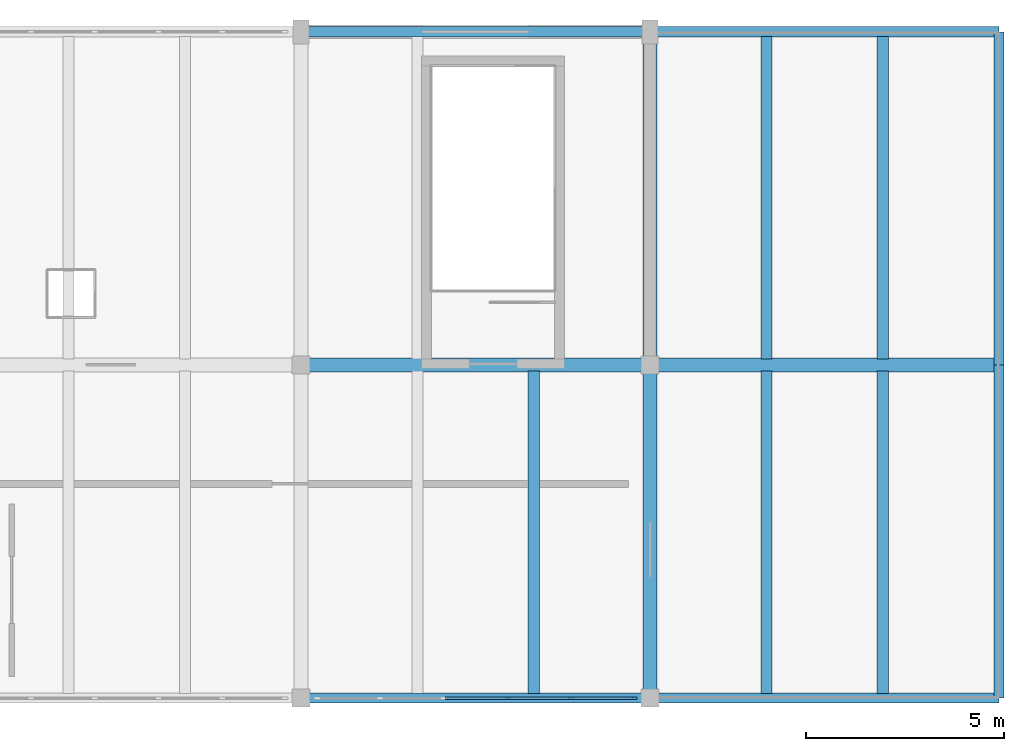
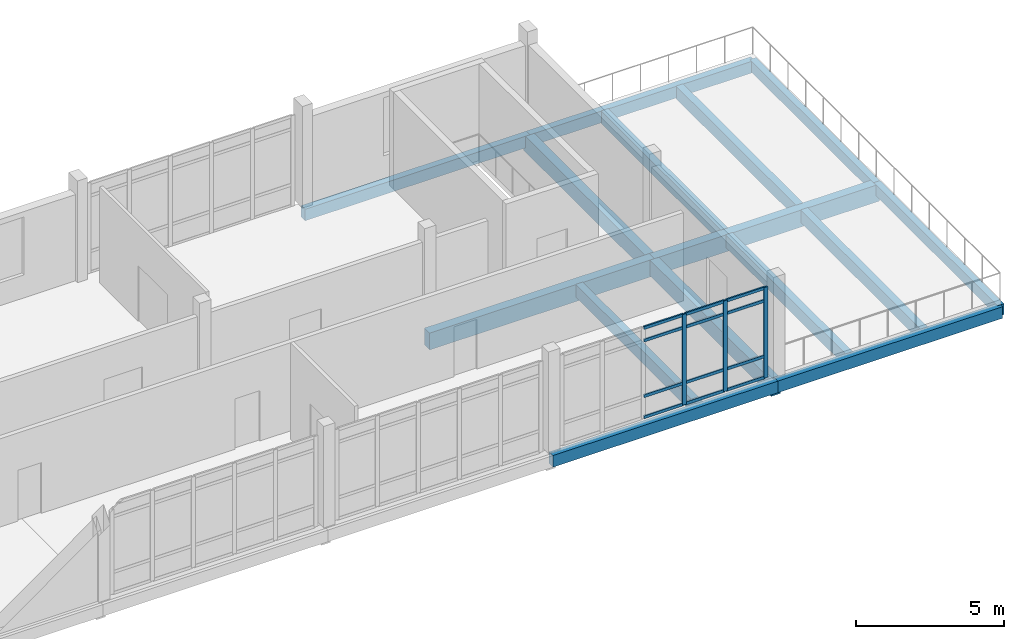
# One storey, part 8 of 13: 15 beams, 15 members, 1 element without a shape of its own.
"""IFC4 building model written with IfcOpenShell, lengths in metres."""

from ifc_helpers import new_model, si_unit, direction, frame, origin, origin_2d, place, context, subcontext, project, spatial, rectangle, extrude, material, material_profile, profile_set, type_object, element, aggregate, save


model = new_model("IFC4")

# Units and contexts
model_context = context("Model", 3, precision=1e-05, world=origin(), true_north=direction((0.0, 1.0)))
body_context = subcontext(model_context, "Body", "Model", "MODEL_VIEW")
ifc_project = project(units=[si_unit("LENGTHUNIT", "METRE"), si_unit("AREAUNIT", "SQUARE_METRE"), si_unit("VOLUMEUNIT", "CUBIC_METRE"), si_unit("PLANEANGLEUNIT", "RADIAN"), si_unit("MASSUNIT", "GRAM", prefix="KILO")], contexts=[model_context])

# Site, building, storey
site_placement = place(None, origin())
site = spatial("IfcSite", under=ifc_project, at=site_placement, CompositionType="ELEMENT")
building_placement = place(site_placement, origin())
building = spatial("IfcBuilding", under=site, at=building_placement, Name="Cinderway Yard Community Centre", CompositionType="ELEMENT")
storey_placement = place(building_placement, frame((0.0, 0.0, 20.10009765625)))
storey = spatial("IfcBuildingStorey", under=building, at=storey_placement, Name="L05", CompositionType="ELEMENT", Elevation=20.10009765625)

# Curtain wall, members
ifc_material_1 = material(Name="Aluminium 6063-T6", Category="aluminium")
curtain_wall_type = type_object("IfcCurtainWallType", Name="ENV-CW-TYPE-27", PredefinedType="USERDEFINED", material=ifc_material_1)
curtain_wall_placement = place(storey_placement, origin())
curtain_wall = element("IfcCurtainWall", 1, at=curtain_wall_placement, inside=storey, type_object=curtain_wall_type, Name="V4 Courtyard Curtain Wall ENV-CW-L05-ST-0196", ObjectType="GLAZED CURTAIN WALL", PredefinedType="USERDEFINED")
ifc_material_profile_1 = material_profile(ifc_material_1, rectangle(XDim=0.06005859375, YDim=0.159912109375, at=origin_2d()), Name="Aluminium 6063-T6")
ifc_profile_set_1 = profile_set([ifc_material_profile_1], Name="Aluminium 6063-T6")
member_type_1 = type_object("IfcMemberType", Name="ENV-CW-MULL-150", PredefinedType="MULLION", material=ifc_profile_set_1)
member_1_placement = place(storey_placement, frame((115.60400390625, 98.39990234375, 0.0), z_axis=(0.0, 0.0, 1.0), x_axis=(0.0, 1.0, 0.0)))
member_1 = element("IfcMember", 2, at=member_1_placement, type_object=member_type_1, Name="CW-27 mullion 4", PredefinedType="MULLION", context=body_context, shape_type="SweptSolid", body=[
    extrude(rectangle(XDim=0.06005859375, YDim=0.159912109375, at=origin_2d()), origin(), (0.0, 0.0, 1.0), 3.75),
])
member_2_placement = place(storey_placement, frame((117.2119140625, 98.39990234375, 0.0), z_axis=(0.0, 0.0, 1.0), x_axis=(0.0, 1.0, 0.0)))
member_2 = element("IfcMember", 3, at=member_2_placement, type_object=member_type_1, Name="CW-27 mullion 5", PredefinedType="MULLION", context=body_context, shape_type="SweptSolid", body=[
    extrude(rectangle(XDim=0.06005859375, YDim=0.159912109375, at=origin_2d()), origin(), (0.0, 0.0, 1.0), 3.75),
])
member_3_placement = place(storey_placement, frame((118.7900390625, 98.39990234375, 0.0), z_axis=(0.0, 0.0, 1.0), x_axis=(0.0, 1.0, 0.0)))
member_3 = element("IfcMember", 4, at=member_3_placement, type_object=member_type_1, Name="CW-27 mullion 6", PredefinedType="MULLION", context=body_context, shape_type="SweptSolid", body=[
    extrude(rectangle(XDim=0.06005859375, YDim=0.159912109375, at=origin_2d()), origin(), (0.0, 0.0, 1.0), 3.75),
])
ifc_material_profile_2 = material_profile(ifc_material_1, rectangle(XDim=0.06005859375, YDim=0.1201171875, at=origin_2d()), Name="Aluminium 6063-T6")
ifc_profile_set_2 = profile_set([ifc_material_profile_2], Name="Aluminium 6063-T6")
member_type_2 = type_object("IfcMemberType", Name="ENV-CW-TRAN-110", PredefinedType="USERDEFINED", material=ifc_profile_set_2)
member_4_placement = place(storey_placement, frame((114.02587890625, 98.39990234375, 0.02978515625), z_axis=(1.0, 0.0, 0.0), x_axis=(0.0, 1.0, 0.0)))
member_4 = element("IfcMember", 5, at=member_4_placement, type_object=member_type_2, Name="CW-27 transom 3.1", ObjectType="TRANSOM", PredefinedType="USERDEFINED", context=body_context, shape_type="SweptSolid", body=[
    extrude(rectangle(XDim=0.06005859375, YDim=0.1201171875, at=origin_2d()), origin(), (0.0, 0.0, 1.0), 1.548095703125),
])
member_5_placement = place(storey_placement, frame((114.02587890625, 98.39990234375, 0.89990234375), z_axis=(1.0, 0.0, 0.0), x_axis=(0.0, 1.0, 0.0)))
member_5 = element("IfcMember", 6, at=member_5_placement, type_object=member_type_2, Name="CW-27 transom 3.2", ObjectType="TRANSOM", PredefinedType="USERDEFINED", context=body_context, shape_type="SweptSolid", body=[
    extrude(rectangle(XDim=0.06005859375, YDim=0.1201171875, at=origin_2d()), origin(), (0.0, 0.0, 1.0), 1.548095703125),
])
member_6_placement = place(storey_placement, frame((114.02587890625, 98.39990234375, 3.199951171875), z_axis=(1.0, 0.0, 0.0), x_axis=(0.0, 1.0, 0.0)))
member_6 = element("IfcMember", 7, at=member_6_placement, type_object=member_type_2, Name="CW-27 transom 3.3", ObjectType="TRANSOM", PredefinedType="USERDEFINED", context=body_context, shape_type="SweptSolid", body=[
    extrude(rectangle(XDim=0.06005859375, YDim=0.1201171875, at=origin_2d()), origin(), (0.0, 0.0, 1.0), 1.548095703125),
])
member_7_placement = place(storey_placement, frame((114.02587890625, 98.39990234375, 3.719970703125), z_axis=(1.0, 0.0, 0.0), x_axis=(0.0, 1.0, 0.0)))
member_7 = element("IfcMember", 8, at=member_7_placement, type_object=member_type_2, Name="CW-27 transom 3.4", ObjectType="TRANSOM", PredefinedType="USERDEFINED", context=body_context, shape_type="SweptSolid", body=[
    extrude(rectangle(XDim=0.06005859375, YDim=0.1201171875, at=origin_2d()), origin(), (0.0, 0.0, 1.0), 1.548095703125),
])
member_8_placement = place(storey_placement, frame((115.634033203125, 98.39990234375, 0.02978515625), z_axis=(1.0, 0.0, 0.0), x_axis=(0.0, 1.0, 0.0)))
member_8 = element("IfcMember", 9, at=member_8_placement, type_object=member_type_2, Name="CW-27 transom 4.1", ObjectType="TRANSOM", PredefinedType="USERDEFINED", context=body_context, shape_type="SweptSolid", body=[
    extrude(rectangle(XDim=0.06005859375, YDim=0.1201171875, at=origin_2d()), origin(), (0.0, 0.0, 1.0), 1.5478515625),
])
member_9_placement = place(storey_placement, frame((115.634033203125, 98.39990234375, 0.89990234375), z_axis=(1.0, 0.0, 0.0), x_axis=(0.0, 1.0, 0.0)))
member_9 = element("IfcMember", 10, at=member_9_placement, type_object=member_type_2, Name="CW-27 transom 4.2", ObjectType="TRANSOM", PredefinedType="USERDEFINED", context=body_context, shape_type="SweptSolid", body=[
    extrude(rectangle(XDim=0.06005859375, YDim=0.1201171875, at=origin_2d()), origin(), (0.0, 0.0, 1.0), 1.5478515625),
])
member_10_placement = place(storey_placement, frame((115.634033203125, 98.39990234375, 3.199951171875), z_axis=(1.0, 0.0, 0.0), x_axis=(0.0, 1.0, 0.0)))
member_10 = element("IfcMember", 11, at=member_10_placement, type_object=member_type_2, Name="CW-27 transom 4.3", ObjectType="TRANSOM", PredefinedType="USERDEFINED", context=body_context, shape_type="SweptSolid", body=[
    extrude(rectangle(XDim=0.06005859375, YDim=0.1201171875, at=origin_2d()), origin(), (0.0, 0.0, 1.0), 1.5478515625),
])
member_11_placement = place(storey_placement, frame((115.634033203125, 98.39990234375, 3.719970703125), z_axis=(1.0, 0.0, 0.0), x_axis=(0.0, 1.0, 0.0)))
member_11 = element("IfcMember", 12, at=member_11_placement, type_object=member_type_2, Name="CW-27 transom 4.4", ObjectType="TRANSOM", PredefinedType="USERDEFINED", context=body_context, shape_type="SweptSolid", body=[
    extrude(rectangle(XDim=0.06005859375, YDim=0.1201171875, at=origin_2d()), origin(), (0.0, 0.0, 1.0), 1.5478515625),
])
member_12_placement = place(storey_placement, frame((117.241943359375, 98.39990234375, 0.02978515625), z_axis=(1.0, 0.0, 0.0), x_axis=(0.0, 1.0, 0.0)))
member_12 = element("IfcMember", 13, at=member_12_placement, type_object=member_type_2, Name="CW-27 transom 5.1", ObjectType="TRANSOM", PredefinedType="USERDEFINED", context=body_context, shape_type="SweptSolid", body=[
    extrude(rectangle(XDim=0.06005859375, YDim=0.1201171875, at=origin_2d()), origin(), (0.0, 0.0, 1.0), 1.51806640625),
])
member_13_placement = place(storey_placement, frame((117.241943359375, 98.39990234375, 0.89990234375), z_axis=(1.0, 0.0, 0.0), x_axis=(0.0, 1.0, 0.0)))
member_13 = element("IfcMember", 14, at=member_13_placement, type_object=member_type_2, Name="CW-27 transom 5.2", ObjectType="TRANSOM", PredefinedType="USERDEFINED", context=body_context, shape_type="SweptSolid", body=[
    extrude(rectangle(XDim=0.06005859375, YDim=0.1201171875, at=origin_2d()), origin(), (0.0, 0.0, 1.0), 1.51806640625),
])
member_14_placement = place(storey_placement, frame((117.241943359375, 98.39990234375, 3.199951171875), z_axis=(1.0, 0.0, 0.0), x_axis=(0.0, 1.0, 0.0)))
member_14 = element("IfcMember", 15, at=member_14_placement, type_object=member_type_2, Name="CW-27 transom 5.3", ObjectType="TRANSOM", PredefinedType="USERDEFINED", context=body_context, shape_type="SweptSolid", body=[
    extrude(rectangle(XDim=0.06005859375, YDim=0.1201171875, at=origin_2d()), origin(), (0.0, 0.0, 1.0), 1.51806640625),
])
member_15_placement = place(storey_placement, frame((117.241943359375, 98.39990234375, 3.719970703125), z_axis=(1.0, 0.0, 0.0), x_axis=(0.0, 1.0, 0.0)))
member_15 = element("IfcMember", 16, at=member_15_placement, type_object=member_type_2, Name="CW-27 transom 5.4", ObjectType="TRANSOM", PredefinedType="USERDEFINED", context=body_context, shape_type="SweptSolid", body=[
    extrude(rectangle(XDim=0.06005859375, YDim=0.1201171875, at=origin_2d()), origin(), (0.0, 0.0, 1.0), 1.51806640625),
])
aggregate(curtain_wall, [member_1, member_2, member_3, member_4, member_5, member_6, member_7, member_8, member_9, member_10, member_11, member_12, member_13, member_14, member_15])

# Beams
ifc_material_2 = material(Name="Concrete C40/50", Category="concrete")
ifc_material_profile_3 = material_profile(ifc_material_2, rectangle(XDim=0.25, YDim=0.449951171875, at=origin_2d()), Name="Concrete C40/50")
ifc_profile_set_3 = profile_set([ifc_material_profile_3], Name="Concrete C40/50")
beam_type_1 = type_object("IfcBeamType", Name="STR-BM-RC250X450", PredefinedType="SPANDREL", material=ifc_profile_set_3)
beam_1_placement = place(storey_placement, frame((128.0, 98.39990234375, -0.445068359375), z_axis=(0.0, 1.0, 0.0), x_axis=(-1.0, 0.0, 0.0)))
element("IfcBeam", 17, at=beam_1_placement, inside=storey, type_object=beam_type_1, Name="Transverse girder STR-BM-L05-SP02-0967", PredefinedType="SPANDREL", context=body_context, shape_type="SweptSolid", body=[
    extrude(rectangle(XDim=0.25, YDim=0.449951171875, at=origin_2d()), origin(), (0.0, 0.0, 1.0), 8.400146484375),
])
beam_2_placement = place(storey_placement, frame((128.0, 106.800048828125, -0.445068359375), z_axis=(0.0, 1.0, 0.0), x_axis=(-1.0, 0.0, 0.0)))
element("IfcBeam", 18, at=beam_2_placement, inside=storey, type_object=beam_type_1, Name="Transverse girder STR-BM-L05-SP02-0968", PredefinedType="SPANDREL", context=body_context, shape_type="SweptSolid", body=[
    extrude(rectangle(XDim=0.25, YDim=0.449951171875, at=origin_2d()), origin(), (0.0, 0.0, 1.0), 8.39990234375),
])
ifc_material_profile_4 = material_profile(ifc_material_2, rectangle(XDim=0.260009765625, YDim=0.47998046875, at=origin_2d()), Name="Concrete C40/50")
ifc_profile_set_4 = profile_set([ifc_material_profile_4], Name="Concrete C40/50")
beam_type_2 = type_object("IfcBeamType", Name="STR-BM-RC260X480", PredefinedType="SPANDREL", material=ifc_profile_set_4)
for number, where, z_axis, x_axis, name in (
    (19, (110.39990234375, 98.39990234375, -0.460205078125), (1.0, 0.0, 0.0), (0.0, 1.0, 0.0), "Primary girder STR-BM-L05-SP01-0929"),
    (20, (119.199951171875, 98.39990234375, -0.460205078125), (1.0, 0.0, 0.0), (0.0, 1.0, 0.0), "Primary girder STR-BM-L05-SP01-0930"),
    (21, (110.39990234375, 115.199951171875, -0.460205078125), (1.0, 0.0, 0.0), (0.0, 1.0, 0.0), "Primary girder STR-BM-L05-SP01-0947"),
    (22, (119.199951171875, 115.199951171875, -0.460205078125), (1.0, 0.0, 0.0), (0.0, 1.0, 0.0), "Primary girder STR-BM-L05-SP01-0948"),
):
    element("IfcBeam", number, at=place(storey_placement, frame(where, z_axis=z_axis, x_axis=x_axis)), inside=storey, type_object=beam_type_2, Name=name, PredefinedType="SPANDREL", context=body_context, shape_type="SweptSolid", body=[
        extrude(rectangle(XDim=0.260009765625, YDim=0.47998046875, at=origin_2d()), origin(), (0.0, 0.0, 1.0), 8.800048828125),
    ])
ifc_material_3 = material(Name="Concrete C35/45", Category="concrete")
ifc_material_profile_5 = material_profile(ifc_material_3, rectangle(XDim=0.280029296875, YDim=0.52001953125, at=origin_2d()), Name="Concrete C35/45")
ifc_profile_set_5 = profile_set([ifc_material_profile_5], Name="Concrete C35/45")
beam_type_3 = type_object("IfcBeamType", Name="STR-BM-RC280X520", PredefinedType="JOIST", material=ifc_profile_set_5)
for number, where, z_axis, x_axis, name in (
    (23, (116.26708984375, 98.511962890625, -0.47998046875), (0.0, 1.0, 0.0), (-1.0, 0.0, 0.0), "Secondary joist STR-BM-L05-BJ04-0994"),
    (24, (122.133056640625, 98.511962890625, -0.47998046875), (0.0, 1.0, 0.0), (-1.0, 0.0, 0.0), "Secondary joist STR-BM-L05-BJ04-0996"),
    (25, (125.06689453125, 98.511962890625, -0.47998046875), (0.0, 1.0, 0.0), (-1.0, 0.0, 0.0), "Secondary joist STR-BM-L05-BJ04-0997"),
):
    element("IfcBeam", number, at=place(storey_placement, frame(where, z_axis=z_axis, x_axis=x_axis)), inside=storey, type_object=beam_type_3, Name=name, PredefinedType="JOIST", context=body_context, shape_type="SweptSolid", body=[
        extrude(rectangle(XDim=0.280029296875, YDim=0.52001953125, at=origin_2d()), origin(), (0.0, 0.0, 1.0), 8.131103515625),
    ])
for number, where, z_axis, x_axis, name in (
    (26, (122.133056640625, 106.95703125, -0.47998046875), (0.0, 1.0, 0.0), (-1.0, 0.0, 0.0), "Secondary joist STR-BM-L05-BJ04-0998"),
    (27, (125.06689453125, 106.95703125, -0.47998046875), (0.0, 1.0, 0.0), (-1.0, 0.0, 0.0), "Secondary joist STR-BM-L05-BJ04-0999"),
):
    element("IfcBeam", number, at=place(storey_placement, frame(where, z_axis=z_axis, x_axis=x_axis)), inside=storey, type_object=beam_type_3, Name=name, PredefinedType="JOIST", context=body_context, shape_type="SweptSolid", body=[
        extrude(rectangle(XDim=0.280029296875, YDim=0.52001953125, at=origin_2d()), origin(), (0.0, 0.0, 1.0), 8.130859375),
    ])
ifc_material_profile_6 = material_profile(ifc_material_3, rectangle(XDim=0.35009765625, YDim=0.64990234375, at=origin_2d()), Name="Concrete C35/45")
ifc_profile_set_6 = profile_set([ifc_material_profile_6], Name="Concrete C35/45")
beam_type_4 = type_object("IfcBeamType", Name="STR-BM-RC350X650", PredefinedType="BEAM", material=ifc_profile_set_6)
beam_3_placement = place(storey_placement, frame((119.199951171875, 98.39990234375, -0.545166015625), z_axis=(0.0, 1.0, 0.0), x_axis=(-1.0, 0.0, 0.0)))
element("IfcBeam", 28, at=beam_3_placement, inside=storey, type_object=beam_type_4, Name="Transverse girder STR-BM-L05-BG08-0965", PredefinedType="BEAM", context=body_context, shape_type="SweptSolid", body=[
    extrude(rectangle(XDim=0.35009765625, YDim=0.64990234375, at=origin_2d()), origin(), (0.0, 0.0, 1.0), 8.400146484375),
])
beam_4_placement = place(storey_placement, frame((119.199951171875, 106.800048828125, -0.545166015625), z_axis=(0.0, 1.0, 0.0), x_axis=(-1.0, 0.0, 0.0)))
element("IfcBeam", 29, at=beam_4_placement, inside=storey, type_object=beam_type_4, Name="Transverse girder STR-BM-L05-BG08-0966", PredefinedType="BEAM", context=body_context, shape_type="SweptSolid", body=[
    extrude(rectangle(XDim=0.35009765625, YDim=0.64990234375, at=origin_2d()), origin(), (0.0, 0.0, 1.0), 8.39990234375),
])
ifc_material_profile_7 = material_profile(ifc_material_3, rectangle(XDim=0.35009765625, YDim=0.699951171875, at=origin_2d()), Name="Concrete C35/45")
ifc_profile_set_7 = profile_set([ifc_material_profile_7], Name="Concrete C35/45")
beam_type_5 = type_object("IfcBeamType", Name="STR-BM-RC350X700", PredefinedType="BEAM", material=ifc_profile_set_7)
for number, where, z_axis, x_axis, name in (
    (30, (110.39990234375, 106.800048828125, -0.570068359375), (1.0, 0.0, 0.0), (0.0, 1.0, 0.0), "Primary girder STR-BM-L05-BG07-0938"),
    (31, (119.199951171875, 106.800048828125, -0.570068359375), (1.0, 0.0, 0.0), (0.0, 1.0, 0.0), "Primary girder STR-BM-L05-BG07-0939"),
):
    element("IfcBeam", number, at=place(storey_placement, frame(where, z_axis=z_axis, x_axis=x_axis)), inside=storey, type_object=beam_type_5, Name=name, PredefinedType="BEAM", context=body_context, shape_type="SweptSolid", body=[
        extrude(rectangle(XDim=0.35009765625, YDim=0.699951171875, at=origin_2d()), origin(), (0.0, 0.0, 1.0), 8.800048828125),
    ])

save(model, "model.ifc")
